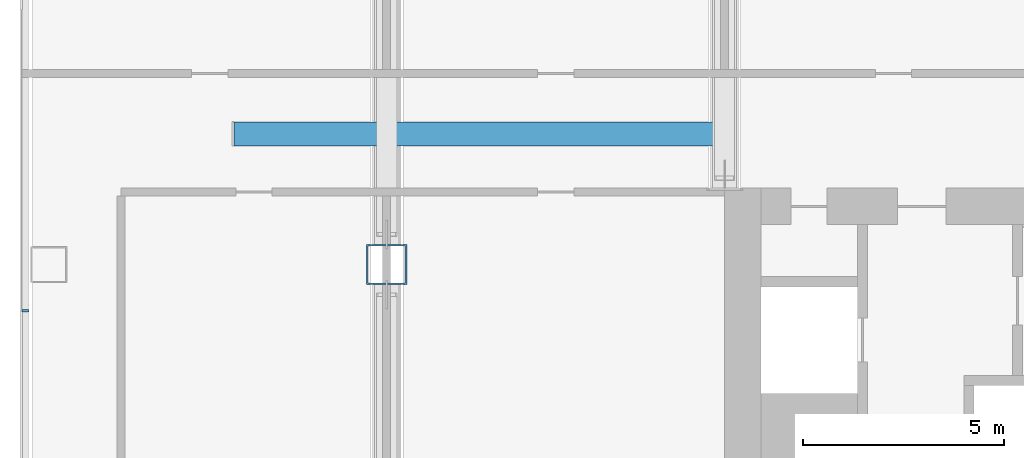
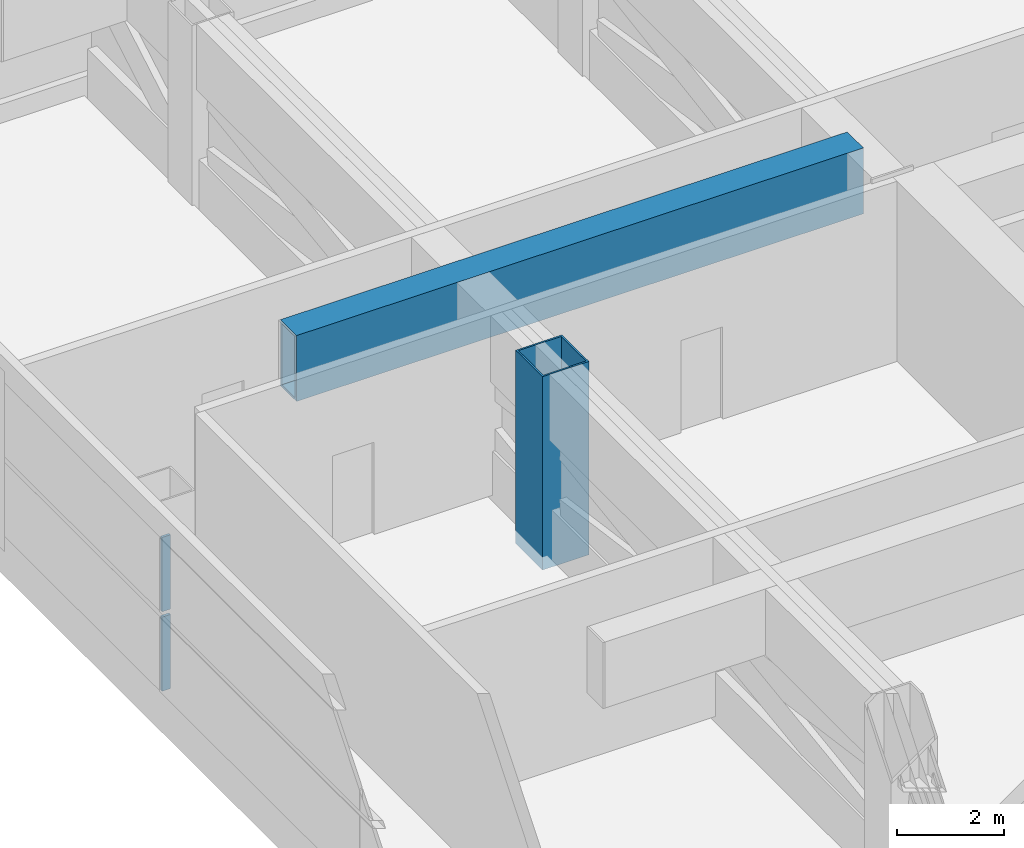
# One storey, part 4 of 30: 3 members, 1 beam, 1 element without a shape of its own.
"""IFC4 building model written with IfcOpenShell, lengths in metres."""

from ifc_helpers import new_model, si_unit, direction, frame, origin, origin_2d, place, context, subcontext, project, spatial, rectangle, hollow_rectangle, extrude, material, layer, layer_set, material_profile, profile_set, type_object, element, aggregate, save


model = new_model("IFC4")

# Units and contexts
model_context = context("Model", 3, precision=1e-05, world=origin(), true_north=direction((0.0, 1.0)))
body_context = subcontext(model_context, "Body", "Model", "MODEL_VIEW")
ifc_project = project(units=[si_unit("LENGTHUNIT", "METRE"), si_unit("AREAUNIT", "SQUARE_METRE"), si_unit("VOLUMEUNIT", "CUBIC_METRE"), si_unit("PLANEANGLEUNIT", "RADIAN"), si_unit("MASSUNIT", "GRAM", prefix="KILO")], contexts=[model_context])

# Site, building, storey
site_placement = place(None, origin())
site = spatial("IfcSite", under=ifc_project, at=site_placement, CompositionType="ELEMENT")
building_placement = place(site_placement, origin())
building = spatial("IfcBuilding", under=site, at=building_placement, Name="Hakoniwa Tower and Hamabe Station Hall", CompositionType="ELEMENT")
storey_placement = place(building_placement, frame((0.0, 0.0, 64.60009765625)))
storey = spatial("IfcBuildingStorey", under=building, at=storey_placement, Name="L18", CompositionType="ELEMENT", Elevation=64.60009765625)

# Curtain wall, members
ifc_material_1 = material(Name="Dark low-e laminated glass", Category="glass")
ifc_layer = layer(ifc_material_1, 0.199951171875)
ifc_layer_set = layer_set([ifc_layer], Name="CW-6 PLANT LOUVRE")
curtain_wall_type = type_object("IfcCurtainWallType", Name="CW-6 PLANT LOUVRE", PredefinedType="NOTDEFINED", material=ifc_layer_set)
curtain_wall_placement = place(storey_placement, origin())
curtain_wall = element("IfcCurtainWall", 1, at=curtain_wall_placement, inside=storey, type_object=curtain_wall_type, Name="CW-6 curtain wall", PredefinedType="NOTDEFINED")
ifc_material_2 = material(Name="Aluminium 6063-T5 black anodised", Category="aluminium")
ifc_material_profile_1 = material_profile(ifc_material_2, rectangle(XDim=0.06005859375, YDim=0.179931640625, at=origin_2d()), Name="CW-1 MULLION 60X180")
ifc_profile_set_1 = profile_set([ifc_material_profile_1], Name="Aluminium 6063-T5 black anodised")
member_type_1 = type_object("IfcMemberType", Name="CW-1 MULLION 60X180", PredefinedType="MULLION", material=ifc_profile_set_1)
member_1_placement = place(storey_placement, frame((-50.98193359375, 5.35791015625, 0.349853515625), z_axis=(0.0, 0.0, 1.0), x_axis=(0.0, -1.0, 0.0)))
member_1 = element("IfcMember", 2, at=member_1_placement, type_object=member_type_1, Name="CW-6 mullion", PredefinedType="MULLION", context=body_context, shape_type="SweptSolid", body=[
    extrude(rectangle(XDim=0.06005859375, YDim=0.179931640625, at=origin_2d()), origin(), (0.0, 0.0, 1.0), 1.68994140625),
])
member_2_placement = place(storey_placement, frame((-50.98193359375, 5.35791015625, 2.159912109375), z_axis=(0.0, 0.0, 1.0), x_axis=(0.0, -1.0, 0.0)))
member_2 = element("IfcMember", 3, at=member_2_placement, type_object=member_type_1, Name="CW-6 mullion", PredefinedType="MULLION", context=body_context, shape_type="SweptSolid", body=[
    extrude(rectangle(XDim=0.06005859375, YDim=0.179931640625, at=origin_2d()), origin(), (0.0, 0.0, 1.0), 1.68994140625),
])
aggregate(curtain_wall, [member_1, member_2])

# Beam
ifc_material_3 = material(Name="Steel SN490C", Category="steel")
ifc_material_profile_2 = material_profile(ifc_material_3, hollow_rectangle(XDim=0.60009765625, YDim=1.5, WallThickness=0.054931640625, at=origin_2d()), Name="BX-1500x600x55")
ifc_profile_set_2 = profile_set([ifc_material_profile_2], Name="Steel SN490C")
beam_type = type_object("IfcBeamType", Name="TRANSFER GIRDER BX-1500x600x55", PredefinedType="BEAM", material=ifc_profile_set_2)
beam_placement = place(storey_placement, frame((-45.800048828125, 9.75, 3.349853515625), z_axis=(1.0, 0.0, 0.0), x_axis=(0.0, 1.0, 0.0)))
element("IfcBeam", 4, at=beam_placement, inside=storey, type_object=beam_type, Name="Truss L18-XG5", PredefinedType="BEAM", context=body_context, shape_type="SweptSolid", body=[
    extrude(hollow_rectangle(XDim=0.60009765625, YDim=1.5, WallThickness=0.054931640625, at=origin_2d()), origin(), (0.0, 0.0, 1.0), 12.199951171875),
])

# Member
ifc_material_4 = material(Name="Steel SN490C", Category="steel")
ifc_material_profile_3 = material_profile(ifc_material_4, hollow_rectangle(XDim=1.0, YDim=1.0, WallThickness=0.0400390625, at=origin_2d()), Name="BX-1000x1000x40")
ifc_profile_set_3 = profile_set([ifc_material_profile_3], Name="Steel SN490C")
member_type_2 = type_object("IfcMemberType", Name="TRUSS POST BX-1000x1000x40", PredefinedType="POST", material=ifc_profile_set_3)
member_3_placement = place(storey_placement, frame((-42.0, 6.5, -0.300048828125), z_axis=(0.0, 0.0, 1.0), x_axis=(1.0, 0.0, 0.0)))
element("IfcMember", 5, at=member_3_placement, inside=storey, type_object=member_type_2, Name="Truss T1-05-P03", PredefinedType="POST", context=body_context, shape_type="SweptSolid", body=[
    extrude(hollow_rectangle(XDim=1.0, YDim=1.0, WallThickness=0.0400390625, at=origin_2d()), origin(), (0.0, 0.0, 1.0), 4.39990234375),
])

save(model, "model.ifc")
